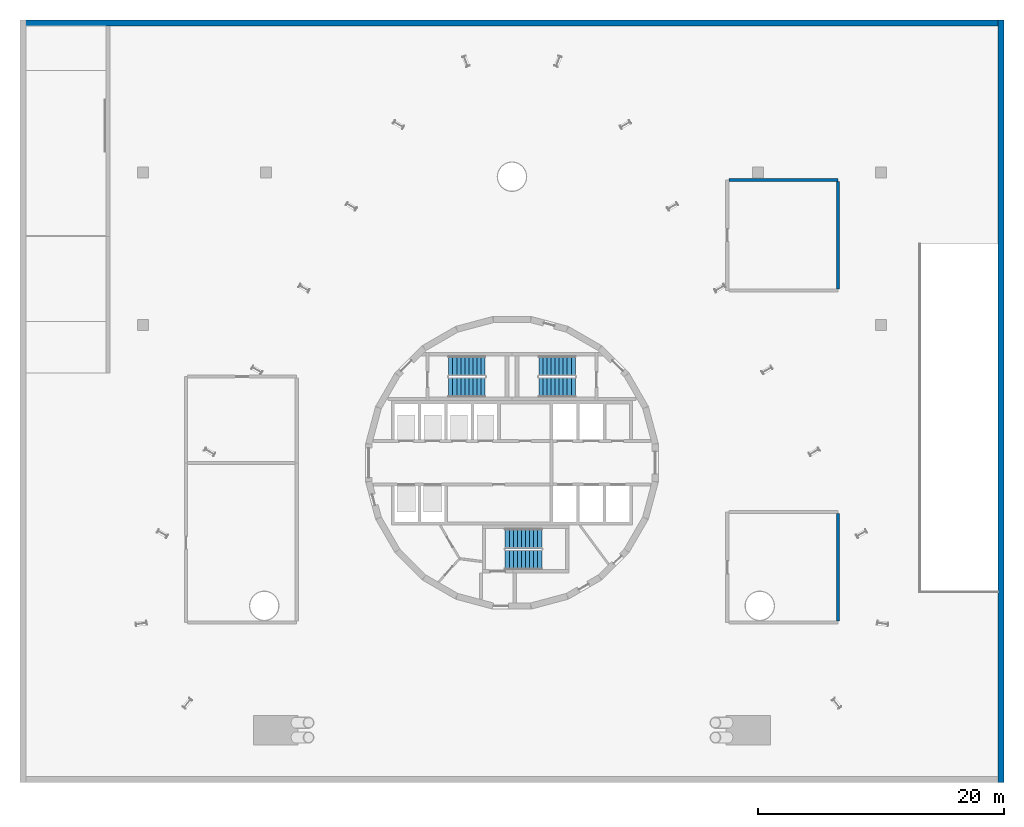
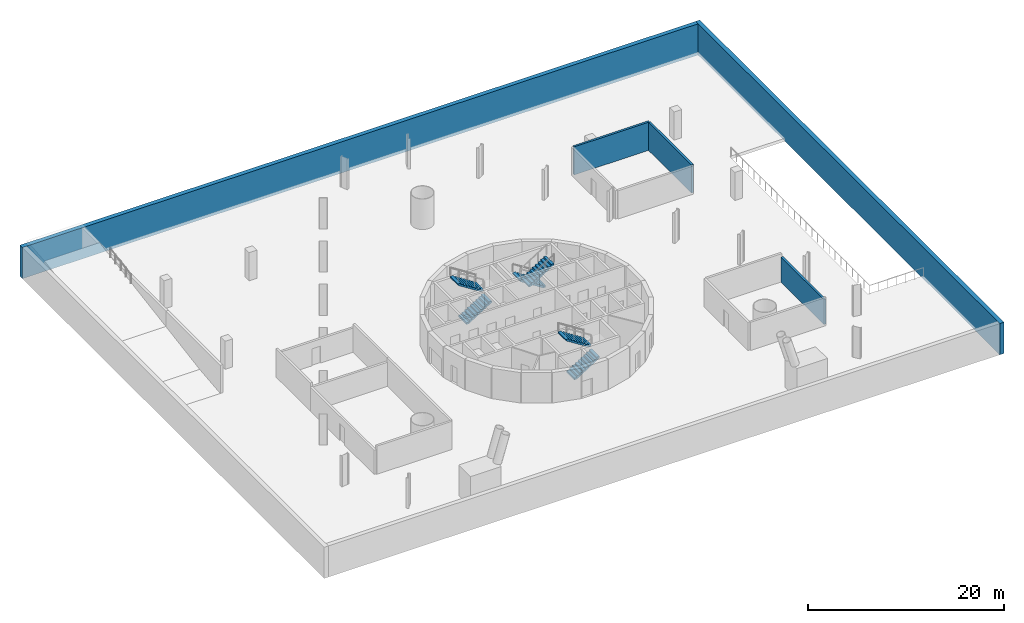
# One storey, part 8 of 10: 6 stair flights, 5 walls, 3 elements without a shape of their own.
"""IFC4 building model written with IfcOpenShell, lengths in metres."""

from ifc_helpers import new_model, si_unit, direction, frame, frame_2d, origin, place, context, subcontext, project, spatial, polyline, rectangle, outline, extrude, material, layer, layer_set, type_object, element, aggregate, save


model = new_model("IFC4")

# Units and contexts
model_context = context("Model", 3, precision=1e-05, world=origin(), true_north=direction((0.0, 1.0)))
body_context = subcontext(model_context, "Body", "Model", "MODEL_VIEW")
ifc_project = project(units=[si_unit("LENGTHUNIT", "METRE"), si_unit("AREAUNIT", "SQUARE_METRE"), si_unit("VOLUMEUNIT", "CUBIC_METRE"), si_unit("PLANEANGLEUNIT", "RADIAN"), si_unit("MASSUNIT", "GRAM", prefix="KILO")], contexts=[model_context])

# Site, building, storey
site_placement = place(None, origin())
site = spatial("IfcSite", under=ifc_project, at=site_placement, CompositionType="ELEMENT")
building_placement = place(site_placement, origin())
building = spatial("IfcBuilding", under=site, at=building_placement, Name="Spindle Arch Residences", CompositionType="ELEMENT")
storey_placement = place(building_placement, frame((0.0, 0.0, -4.199951171875)))
storey = spatial("IfcBuildingStorey", under=building, at=storey_placement, Name="B1", CompositionType="ELEMENT", Elevation=-4.199951171875)

# Walls
ifc_material_1 = material(Name="Concrete C40/50", Category="concrete")
ifc_layer_1 = layer(ifc_material_1, 0.5)
ifc_layer_set_1 = layer_set([ifc_layer_1], Name="Basement retaining wall 500")
wall_type_1 = type_object("IfcWallType", Name="Basement retaining wall 500", PredefinedType="SOLIDWALL", material=ifc_layer_set_1)
wall_1_placement = place(storey_placement, frame((39.75, -26.0, -0.380126953125), z_axis=(0.0, 0.0, 1.0), x_axis=(0.0, 1.0, 0.0)))
element("IfcWall", 1, at=wall_1_placement, inside=storey, type_object=wall_type_1, Name="Retaining wall 2", PredefinedType="SOLIDWALL", context=body_context, shape_type="SweptSolid", body=[
    extrude(rectangle(XDim=62.0, YDim=0.5, at=frame_2d((31.0, 0.0))), origin(), (0.0, 0.0, 1.0), 3.880126953125),
])
wall_2_placement = place(storey_placement, frame((40.0, 35.75, -0.380126953125), z_axis=(0.0, 0.0, 1.0), x_axis=(-1.0, 0.0, 0.0)))
element("IfcWall", 2, at=wall_2_placement, inside=storey, type_object=wall_type_1, Name="Retaining wall 3", PredefinedType="SOLIDWALL", context=body_context, shape_type="SweptSolid", body=[
    extrude(rectangle(XDim=80.0, YDim=0.5, at=frame_2d((40.0, 0.0))), origin(), (0.0, 0.0, 1.0), 3.880126953125),
])
ifc_material_2 = material(Name="Concrete C25/30 wall", Category="concrete")
ifc_layer_2 = layer(ifc_material_2, 0.25)
ifc_layer_set_2 = layer_set([ifc_layer_2], Name="Partition EI 120 250 plant")
wall_type_2 = type_object("IfcWallType", Name="Partition EI 120 250 plant", PredefinedType="PARTITIONING", material=ifc_layer_set_2)
wall_3_placement = place(storey_placement, frame((17.625, 23.0, 0.0), z_axis=(0.0, 0.0, 1.0), x_axis=(1.0, 0.0, 0.0)))
element("IfcWall", 3, at=wall_3_placement, inside=storey, type_object=wall_type_2, Name="B1-W011", PredefinedType="PARTITIONING", context=body_context, shape_type="SweptSolid", body=[
    extrude(rectangle(XDim=8.875, YDim=0.25, at=frame_2d((4.4375, 0.0))), origin(), (0.0, 0.0, 1.0), 3.5),
])
wall_4_placement = place(storey_placement, frame((26.5, 22.875, 0.0), z_axis=(0.0, 0.0, 1.0), x_axis=(0.0, -1.0, 0.0)))
element("IfcWall", 4, at=wall_4_placement, inside=storey, type_object=wall_type_2, Name="B1-W015", PredefinedType="PARTITIONING", context=body_context, shape_type="SweptSolid", body=[
    extrude(rectangle(XDim=8.75, YDim=0.25, at=frame_2d((4.375, 0.0))), origin(), (0.0, 0.0, 1.0), 3.5),
])
ifc_material_3 = material(Name="Concrete C25/30 wall", Category="concrete")
ifc_layer_3 = layer(ifc_material_3, 0.25)
ifc_layer_set_3 = layer_set([ifc_layer_3], Name="Partition EI 120 250 store")
wall_type_3 = type_object("IfcWallType", Name="Partition EI 120 250 store", PredefinedType="PARTITIONING", material=ifc_layer_set_3)
wall_5_placement = place(storey_placement, frame((26.5, -4.125, 0.0), z_axis=(0.0, 0.0, 1.0), x_axis=(0.0, -1.0, 0.0)))
element("IfcWall", 5, at=wall_5_placement, inside=storey, type_object=wall_type_3, Name="B1-W013", PredefinedType="PARTITIONING", context=body_context, shape_type="SweptSolid", body=[
    extrude(rectangle(XDim=8.75, YDim=0.25, at=frame_2d((4.375, 0.0))), origin(), (0.0, 0.0, 1.0), 3.10986328125),
])

# Stair, stair flights
ifc_material_4 = material(Name="Concrete C50/60", Category="concrete")
stair_type = type_object("IfcStairType", Name="Exit stair 20 risers", PredefinedType="HALF_TURN_STAIR", material=ifc_material_4)
stair_1_placement = place(storey_placement, origin())
stair_1 = element("IfcStair", 6, at=stair_1_placement, inside=storey, type_object=stair_type, Name="B1 Exit stair ST1", PredefinedType="HALF_TURN_STAIR")
ifc_material_5 = material(Name="Concrete C50/60", Category="concrete")
stair_flight_type = type_object("IfcStairFlightType", Name="Exit stair flight", PredefinedType="STRAIGHT", material=ifc_material_5)
stair_flight_1_placement = place(storey_placement, frame((5.14990234375, 7.8701171875, 0.0), z_axis=(0.0, 0.0, 1.0), x_axis=(-1.0, 0.0, 0.0)))
stair_flight_1 = element("IfcStairFlight", 7, at=stair_flight_1_placement, type_object=stair_flight_type, Name="ST1 flight 1", NumberOfRisers=10, NumberOfTreads=9, PredefinedType="STRAIGHT", RiserHeight=0.21, TreadLength=0.33, context=body_context, shape_type="SweptSolid", body=[
    extrude(outline(polyline([(0.0, 0.0), (0.0, 0.2099609375), (0.330078125, 0.2099609375), (0.330078125, 0.419921875), (0.659912109375, 0.419921875), (0.659912109375, 0.6298828125), (0.989990234375, 0.6298828125), (0.989990234375, 0.840087890625), (1.320068359375, 0.840087890625), (1.320068359375, 1.050048828125), (1.64990234375, 1.050048828125), (1.64990234375, 1.260009765625), (1.97998046875, 1.260009765625), (1.97998046875, 1.469970703125), (2.31005859375, 1.469970703125), (2.31005859375, 1.679931640625), (2.639892578125, 1.679931640625), (2.639892578125, 1.889892578125), (2.969970703125, 1.889892578125), (2.969970703125, 2.10009765625), (2.969970703125, 1.71240234375), (0.279296875, 0.0), (0.0, 0.0)])), frame((0.0, 0.800048828125, 0.0), z_axis=(0.0, -1.0, 0.0), x_axis=(1.0, 0.0, 0.0)), (0.0, 0.0, 1.0), 1.60009765625),
])
stair_flight_2_placement = place(storey_placement, frame((2.179931640625, 6.14990234375, 2.099853515625), z_axis=(0.0, 0.0, 1.0), x_axis=(1.0, 0.0, 0.0)))
stair_flight_2 = element("IfcStairFlight", 8, at=stair_flight_2_placement, type_object=stair_flight_type, Name="ST1 flight 2", NumberOfRisers=10, NumberOfTreads=9, PredefinedType="STRAIGHT", RiserHeight=0.21, TreadLength=0.33, context=body_context, shape_type="SweptSolid", body=[
    extrude(outline(polyline([(0.0, 0.0), (0.0, 0.2099609375), (0.330078125, 0.2099609375), (0.330078125, 0.419921875), (0.659912109375, 0.419921875), (0.659912109375, 0.6298828125), (0.989990234375, 0.6298828125), (0.989990234375, 0.840087890625), (1.320068359375, 0.840087890625), (1.320068359375, 1.050048828125), (1.64990234375, 1.050048828125), (1.64990234375, 1.260009765625), (1.97998046875, 1.260009765625), (1.97998046875, 1.469970703125), (2.31005859375, 1.469970703125), (2.31005859375, 1.679931640625), (2.639892578125, 1.679931640625), (2.639892578125, 1.889892578125), (2.969970703125, 1.889892578125), (2.969970703125, 2.10009765625), (2.969970703125, 1.71240234375), (0.279296875, 0.0), (0.0, 0.0)])), frame((0.0, 0.800048828125, 0.0), z_axis=(0.0, -1.0, 0.0), x_axis=(1.0, 0.0, 0.0)), (0.0, 0.0, 1.0), 1.60009765625),
])
aggregate(stair_1, [stair_flight_1, stair_flight_2])

stair_2_placement = place(storey_placement, origin())
stair_2 = element("IfcStair", 9, at=stair_2_placement, inside=storey, type_object=stair_type, Name="B1 Exit stair ST2", PredefinedType="HALF_TURN_STAIR")
stair_flight_3_placement = place(storey_placement, frame((-5.14990234375, 6.14990234375, 0.0), z_axis=(0.0, 0.0, 1.0), x_axis=(1.0, 0.0, 0.0)))
stair_flight_3 = element("IfcStairFlight", 10, at=stair_flight_3_placement, type_object=stair_flight_type, Name="ST2 flight 1", NumberOfRisers=10, NumberOfTreads=9, PredefinedType="STRAIGHT", RiserHeight=0.21, TreadLength=0.33, context=body_context, shape_type="SweptSolid", body=[
    extrude(outline(polyline([(0.0, 0.0), (0.0, 0.2099609375), (0.330078125, 0.2099609375), (0.330078125, 0.419921875), (0.659912109375, 0.419921875), (0.659912109375, 0.6298828125), (0.989990234375, 0.6298828125), (0.989990234375, 0.840087890625), (1.320068359375, 0.840087890625), (1.320068359375, 1.050048828125), (1.64990234375, 1.050048828125), (1.64990234375, 1.260009765625), (1.97998046875, 1.260009765625), (1.97998046875, 1.469970703125), (2.31005859375, 1.469970703125), (2.31005859375, 1.679931640625), (2.639892578125, 1.679931640625), (2.639892578125, 1.889892578125), (2.969970703125, 1.889892578125), (2.969970703125, 2.10009765625), (2.969970703125, 1.71240234375), (0.279296875, 0.0), (0.0, 0.0)])), frame((0.0, 0.800048828125, 0.0), z_axis=(0.0, -1.0, 0.0), x_axis=(1.0, 0.0, 0.0)), (0.0, 0.0, 1.0), 1.60009765625),
])
stair_flight_4_placement = place(storey_placement, frame((-2.179931640625, 7.8701171875, 2.099853515625), z_axis=(0.0, 0.0, 1.0), x_axis=(-1.0, 0.0, 0.0)))
stair_flight_4 = element("IfcStairFlight", 11, at=stair_flight_4_placement, type_object=stair_flight_type, Name="ST2 flight 2", NumberOfRisers=10, NumberOfTreads=9, PredefinedType="STRAIGHT", RiserHeight=0.21, TreadLength=0.33, context=body_context, shape_type="SweptSolid", body=[
    extrude(outline(polyline([(0.0, 0.0), (0.0, 0.2099609375), (0.330078125, 0.2099609375), (0.330078125, 0.419921875), (0.659912109375, 0.419921875), (0.659912109375, 0.6298828125), (0.989990234375, 0.6298828125), (0.989990234375, 0.840087890625), (1.320068359375, 0.840087890625), (1.320068359375, 1.050048828125), (1.64990234375, 1.050048828125), (1.64990234375, 1.260009765625), (1.97998046875, 1.260009765625), (1.97998046875, 1.469970703125), (2.31005859375, 1.469970703125), (2.31005859375, 1.679931640625), (2.639892578125, 1.679931640625), (2.639892578125, 1.889892578125), (2.969970703125, 1.889892578125), (2.969970703125, 2.10009765625), (2.969970703125, 1.71240234375), (0.279296875, 0.0), (0.0, 0.0)])), frame((0.0, 0.800048828125, 0.0), z_axis=(0.0, -1.0, 0.0), x_axis=(1.0, 0.0, 0.0)), (0.0, 0.0, 1.0), 1.60009765625),
])
aggregate(stair_2, [stair_flight_3, stair_flight_4])

stair_3_placement = place(storey_placement, origin())
stair_3 = element("IfcStair", 12, at=stair_3_placement, inside=storey, type_object=stair_type, Name="B1 Exit stair ST3", PredefinedType="HALF_TURN_STAIR")
stair_flight_5_placement = place(storey_placement, frame((-0.550048828125, -7.8701171875, 0.0), z_axis=(0.0, 0.0, 1.0), x_axis=(1.0, 0.0, 0.0)))
stair_flight_5 = element("IfcStairFlight", 13, at=stair_flight_5_placement, type_object=stair_flight_type, Name="ST3 flight 1", NumberOfRisers=10, NumberOfTreads=9, PredefinedType="STRAIGHT", RiserHeight=0.21, TreadLength=0.33, context=body_context, shape_type="SweptSolid", body=[
    extrude(outline(polyline([(0.0, 0.0), (0.0, 0.2099609375), (0.330078125, 0.2099609375), (0.330078125, 0.419921875), (0.659912109375, 0.419921875), (0.659912109375, 0.6298828125), (0.989990234375, 0.6298828125), (0.989990234375, 0.840087890625), (1.320068359375, 0.840087890625), (1.320068359375, 1.050048828125), (1.64990234375, 1.050048828125), (1.64990234375, 1.260009765625), (1.97998046875, 1.260009765625), (1.97998046875, 1.469970703125), (2.31005859375, 1.469970703125), (2.31005859375, 1.679931640625), (2.639892578125, 1.679931640625), (2.639892578125, 1.889892578125), (2.969970703125, 1.889892578125), (2.969970703125, 2.10009765625), (2.969970703125, 1.71240234375), (0.279296875, 0.0), (0.0, 0.0)])), frame((0.0, 0.800048828125, 0.0), z_axis=(0.0, -1.0, 0.0), x_axis=(1.0, 0.0, 0.0)), (0.0, 0.0, 1.0), 1.60009765625),
])
stair_flight_6_placement = place(storey_placement, frame((2.419921875, -6.14990234375, 2.099853515625), z_axis=(0.0, 0.0, 1.0), x_axis=(-1.0, 0.0, 0.0)))
stair_flight_6 = element("IfcStairFlight", 14, at=stair_flight_6_placement, type_object=stair_flight_type, Name="ST3 flight 2", NumberOfRisers=10, NumberOfTreads=9, PredefinedType="STRAIGHT", RiserHeight=0.21, TreadLength=0.33, context=body_context, shape_type="SweptSolid", body=[
    extrude(outline(polyline([(0.0, 0.0), (0.0, 0.2099609375), (0.330078125, 0.2099609375), (0.330078125, 0.419921875), (0.659912109375, 0.419921875), (0.659912109375, 0.6298828125), (0.989990234375, 0.6298828125), (0.989990234375, 0.840087890625), (1.320068359375, 0.840087890625), (1.320068359375, 1.050048828125), (1.64990234375, 1.050048828125), (1.64990234375, 1.260009765625), (1.97998046875, 1.260009765625), (1.97998046875, 1.469970703125), (2.31005859375, 1.469970703125), (2.31005859375, 1.679931640625), (2.639892578125, 1.679931640625), (2.639892578125, 1.889892578125), (2.969970703125, 1.889892578125), (2.969970703125, 2.10009765625), (2.969970703125, 1.71240234375), (0.279296875, 0.0), (0.0, 0.0)])), frame((0.0, 0.800048828125, 0.0), z_axis=(0.0, -1.0, 0.0), x_axis=(1.0, 0.0, 0.0)), (0.0, 0.0, 1.0), 1.60009765625),
])
aggregate(stair_3, [stair_flight_5, stair_flight_6])

save(model, "model.ifc")
